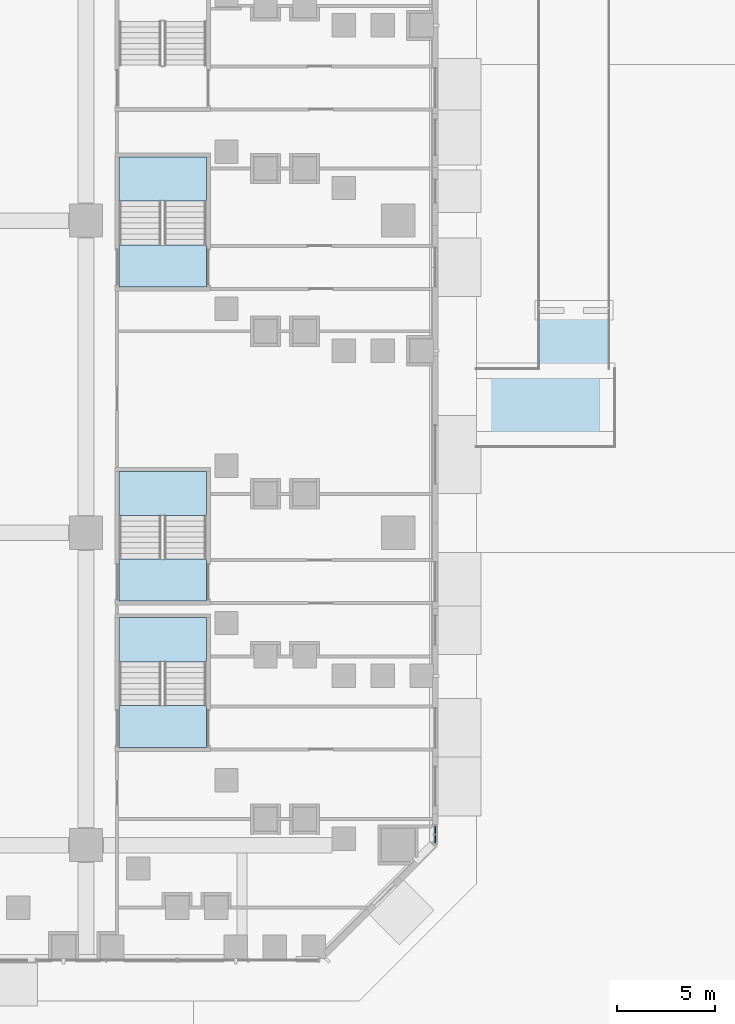
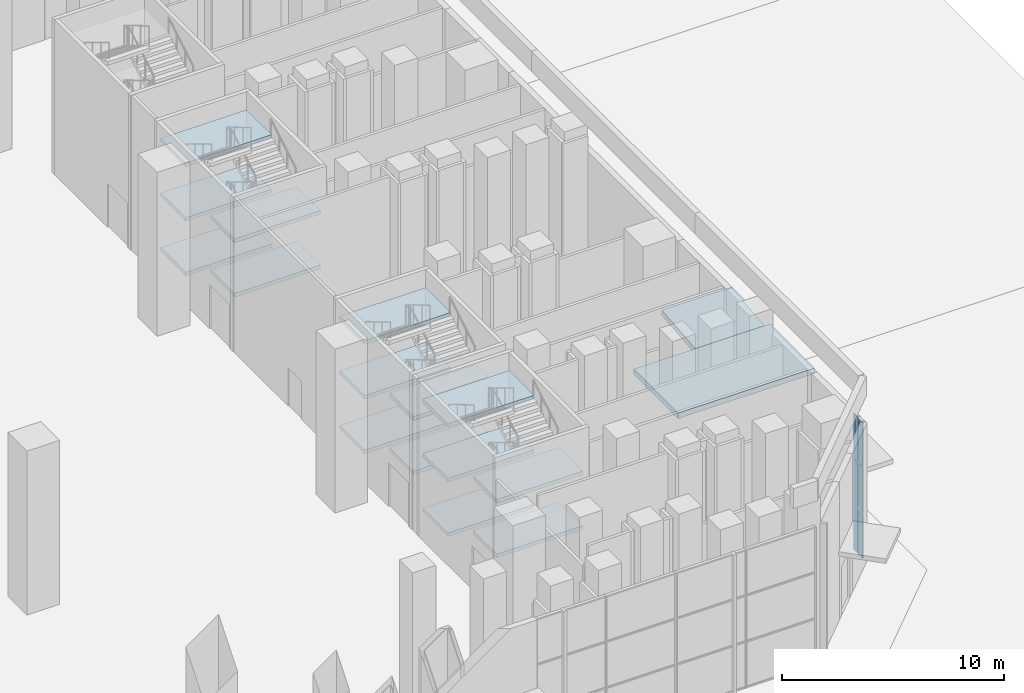
# One storey, part 15 of 51: 17 slabs, 6 plates, 5 elements without a shape of their own.
"""IFC4 building model written with IfcOpenShell, lengths in metres."""

from ifc_helpers import new_model, si_unit, direction, frame, origin, origin_2d, place, context, subcontext, project, spatial, polyline, rectangle, outline, extrude, material, layer, layer_set, type_object, element, aggregate, save


model = new_model("IFC4")

# Units and contexts
model_context = context("Model", 3, precision=1e-05, world=origin(), true_north=direction((0.0, 1.0)))
body_context = subcontext(model_context, "Body", "Model", "MODEL_VIEW")
ifc_project = project(units=[si_unit("LENGTHUNIT", "METRE"), si_unit("AREAUNIT", "SQUARE_METRE"), si_unit("VOLUMEUNIT", "CUBIC_METRE"), si_unit("PLANEANGLEUNIT", "RADIAN"), si_unit("MASSUNIT", "GRAM", prefix="KILO")], contexts=[model_context])

# Site, building, storey
site_placement = place(None, origin())
site = spatial("IfcSite", under=ifc_project, at=site_placement, CompositionType="ELEMENT")
building_placement = place(site_placement, origin())
building = spatial("IfcBuilding", under=site, at=building_placement, Name="Calabash Gate Tower", CompositionType="ELEMENT")
storey_placement = place(building_placement, origin())
storey = spatial("IfcBuildingStorey", under=building, at=storey_placement, Name="L00", CompositionType="ELEMENT", Elevation=0.0)

# Curtain wall, plates
ifc_material_1 = material(Name="Anodised aluminium frame, bronze finish, clear laminated impact-rated glazing", Category="aluminium")
curtain_wall_type = type_object("IfcCurtainWallType", Name="Curtain wall CWF podium shopfront", PredefinedType="NOTDEFINED", material=ifc_material_1)
curtain_wall_placement = place(storey_placement, origin())
curtain_wall = element("IfcCurtainWall", 1, at=curtain_wall_placement, inside=storey, type_object=curtain_wall_type, Name="Curtain wall CWF L00 2.0.0", PredefinedType="NOTDEFINED")
ifc_material_2 = material(Name="Clear laminated impact-rated glazing", Category="glass")
ifc_layer_1 = layer(ifc_material_2, 0.035888671875)
ifc_layer_set_1 = layer_set([ifc_layer_1], Name="Glass panel CWF 36")
plate_type = type_object("IfcPlateType", Name="Glass panel CWF 36", PredefinedType="CURTAIN_PANEL", material=ifc_layer_set_1)
plate_1_placement = place(storey_placement, frame((49.89990234375, -39.688720703125, 0.06494140625), z_axis=(0.0, 0.0, 1.0), x_axis=(0.0, 1.0, 0.0)))
plate_1 = element("IfcPlate", 2, at=plate_1_placement, type_object=plate_type, Name="CWF panel 1.1", PredefinedType="CURTAIN_PANEL", context=body_context, shape_type="SweptSolid", body=[
    extrude(rectangle(XDim=0.392578125, YDim=0.035888671875, at=origin_2d()), origin(), (0.0, 0.0, 1.0), 2.435791015625),
])
plate_2_placement = place(storey_placement, frame((49.89990234375, -39.688720703125, 2.56591796875), z_axis=(0.0, 0.0, 1.0), x_axis=(0.0, 1.0, 0.0)))
plate_2 = element("IfcPlate", 3, at=plate_2_placement, type_object=plate_type, Name="CWF panel 1.2", PredefinedType="CURTAIN_PANEL", context=body_context, shape_type="SweptSolid", body=[
    extrude(rectangle(XDim=0.392578125, YDim=0.035888671875, at=origin_2d()), origin(), (0.0, 0.0, 1.0), 2.46826171875),
])
plate_3_placement = place(storey_placement, frame((49.89990234375, -39.688720703125, 5.09912109375), z_axis=(0.0, 0.0, 1.0), x_axis=(0.0, 1.0, 0.0)))
plate_3 = element("IfcPlate", 4, at=plate_3_placement, type_object=plate_type, Name="CWF panel 1.3", PredefinedType="CURTAIN_PANEL", context=body_context, shape_type="SweptSolid", body=[
    extrude(rectangle(XDim=0.392578125, YDim=0.035888671875, at=origin_2d()), origin(), (0.0, 0.0, 1.0), 2.435791015625),
])
plate_4_placement = place(storey_placement, frame((49.89990234375, -39.231201171875, 0.06494140625), z_axis=(0.0, 0.0, 1.0), x_axis=(0.0, 1.0, 0.0)))
plate_4 = element("IfcPlate", 5, at=plate_4_placement, type_object=plate_type, Name="CWF panel 2.1", PredefinedType="CURTAIN_PANEL", context=body_context, shape_type="SweptSolid", body=[
    extrude(rectangle(XDim=0.392578125, YDim=0.035888671875, at=origin_2d()), origin(), (0.0, 0.0, 1.0), 2.435791015625),
])
plate_5_placement = place(storey_placement, frame((49.89990234375, -39.231201171875, 2.56591796875), z_axis=(0.0, 0.0, 1.0), x_axis=(0.0, 1.0, 0.0)))
plate_5 = element("IfcPlate", 6, at=plate_5_placement, type_object=plate_type, Name="CWF panel 2.2", PredefinedType="CURTAIN_PANEL", context=body_context, shape_type="SweptSolid", body=[
    extrude(rectangle(XDim=0.392578125, YDim=0.035888671875, at=origin_2d()), origin(), (0.0, 0.0, 1.0), 2.46826171875),
])
plate_6_placement = place(storey_placement, frame((49.89990234375, -39.231201171875, 5.09912109375), z_axis=(0.0, 0.0, 1.0), x_axis=(0.0, 1.0, 0.0)))
plate_6 = element("IfcPlate", 7, at=plate_6_placement, type_object=plate_type, Name="CWF panel 2.3", PredefinedType="CURTAIN_PANEL", context=body_context, shape_type="SweptSolid", body=[
    extrude(rectangle(XDim=0.392578125, YDim=0.035888671875, at=origin_2d()), origin(), (0.0, 0.0, 1.0), 2.435791015625),
])
aggregate(curtain_wall, [plate_1, plate_2, plate_3, plate_4, plate_5, plate_6])

# Stair, slabs
ifc_material_3 = material(Name="Concrete C40/50", Category="concrete")
stair_type = type_object("IfcStairType", Name="Public stair 54 risers of 166.7 mm", PredefinedType="HALF_TURN_STAIR", material=ifc_material_3)
stair_1_placement = place(storey_placement, origin())
stair_1 = element("IfcStair", 8, at=stair_1_placement, inside=storey, type_object=stair_type, Name="L00 Public Stair PS6", PredefinedType="HALF_TURN_STAIR")
ifc_material_4 = material(Name="Concrete C40/50", Category="concrete")
ifc_layer_2 = layer(ifc_material_4, 0.199951171875)
ifc_layer_set_2 = layer_set([ifc_layer_2], Name="Stair landing SL200")
slab_type_1 = type_object("IfcSlabType", Name="Stair landing SL200", PredefinedType="LANDING", material=ifc_layer_set_2)
slab_1_placement = place(storey_placement, frame((0.0, 0.0, 1.300048828125)))
slab_1 = element("IfcSlab", 9, at=slab_1_placement, type_object=slab_type_1, Name="PS6 landing 1", PredefinedType="LANDING", context=body_context, shape_type="SweptSolid", body=[
    extrude(outline(polyline([(38.169921875, -30.60791015625), (38.169921875, -28.35009765625), (33.699951171875, -28.35009765625), (33.699951171875, -30.60791015625), (38.169921875, -30.60791015625)])), origin(), (0.0, 0.0, 1.0), 0.199951171875),
])
slab_2_placement = place(storey_placement, frame((0.0, 0.0, 2.800048828125)))
slab_2 = element("IfcSlab", 10, at=slab_2_placement, type_object=slab_type_1, Name="PS6 landing 2", PredefinedType="LANDING", context=body_context, shape_type="SweptSolid", body=[
    extrude(outline(polyline([(38.169921875, -35.0), (38.169921875, -32.840087890625), (33.699951171875, -32.840087890625), (33.699951171875, -35.0), (38.169921875, -35.0)])), origin(), (0.0, 0.0, 1.0), 0.199951171875),
])
slab_3_placement = place(storey_placement, frame((0.0, 0.0, 4.300048828125)))
slab_3 = element("IfcSlab", 11, at=slab_3_placement, type_object=slab_type_1, Name="PS6 landing 3", PredefinedType="LANDING", context=body_context, shape_type="SweptSolid", body=[
    extrude(outline(polyline([(38.169921875, -30.60791015625), (38.169921875, -28.35009765625), (33.699951171875, -28.35009765625), (33.699951171875, -30.60791015625), (38.169921875, -30.60791015625)])), origin(), (0.0, 0.0, 1.0), 0.199951171875),
])
slab_4_placement = place(storey_placement, frame((0.0, 0.0, 5.800048828125)))
slab_4 = element("IfcSlab", 12, at=slab_4_placement, type_object=slab_type_1, Name="PS6 landing 4", PredefinedType="LANDING", context=body_context, shape_type="SweptSolid", body=[
    extrude(outline(polyline([(38.169921875, -35.0), (38.169921875, -32.840087890625), (33.699951171875, -32.840087890625), (33.699951171875, -35.0), (38.169921875, -35.0)])), origin(), (0.0, 0.0, 1.0), 0.199951171875),
])
slab_5_placement = place(storey_placement, frame((0.0, 0.0, 7.300048828125)))
slab_5 = element("IfcSlab", 13, at=slab_5_placement, type_object=slab_type_1, Name="PS6 landing 5", PredefinedType="LANDING", context=body_context, shape_type="SweptSolid", body=[
    extrude(outline(polyline([(38.169921875, -30.60791015625), (38.169921875, -28.35009765625), (33.699951171875, -28.35009765625), (33.699951171875, -30.60791015625), (38.169921875, -30.60791015625)])), origin(), (0.0, 0.0, 1.0), 0.199951171875),
])
aggregate(stair_1, [slab_1, slab_2, slab_3, slab_4, slab_5])

stair_2_placement = place(storey_placement, origin())
stair_2 = element("IfcStair", 14, at=stair_2_placement, inside=storey, type_object=stair_type, Name="L00 Public Stair PS7", PredefinedType="HALF_TURN_STAIR")
slab_6_placement = place(storey_placement, frame((0.0, 0.0, 1.300048828125)))
slab_6 = element("IfcSlab", 15, at=slab_6_placement, type_object=slab_type_1, Name="PS7 landing 1", PredefinedType="LANDING", context=body_context, shape_type="SweptSolid", body=[
    extrude(outline(polyline([(38.169921875, -23.10791015625), (38.169921875, -20.85009765625), (33.699951171875, -20.85009765625), (33.699951171875, -23.10791015625), (38.169921875, -23.10791015625)])), origin(), (0.0, 0.0, 1.0), 0.199951171875),
])
slab_7_placement = place(storey_placement, frame((0.0, 0.0, 2.800048828125)))
slab_7 = element("IfcSlab", 16, at=slab_7_placement, type_object=slab_type_1, Name="PS7 landing 2", PredefinedType="LANDING", context=body_context, shape_type="SweptSolid", body=[
    extrude(outline(polyline([(38.169921875, -27.5), (38.169921875, -25.340087890625), (33.699951171875, -25.340087890625), (33.699951171875, -27.5), (38.169921875, -27.5)])), origin(), (0.0, 0.0, 1.0), 0.199951171875),
])
slab_8_placement = place(storey_placement, frame((0.0, 0.0, 4.300048828125)))
slab_8 = element("IfcSlab", 17, at=slab_8_placement, type_object=slab_type_1, Name="PS7 landing 3", PredefinedType="LANDING", context=body_context, shape_type="SweptSolid", body=[
    extrude(outline(polyline([(38.169921875, -23.10791015625), (38.169921875, -20.85009765625), (33.699951171875, -20.85009765625), (33.699951171875, -23.10791015625), (38.169921875, -23.10791015625)])), origin(), (0.0, 0.0, 1.0), 0.199951171875),
])
slab_9_placement = place(storey_placement, frame((0.0, 0.0, 5.800048828125)))
slab_9 = element("IfcSlab", 18, at=slab_9_placement, type_object=slab_type_1, Name="PS7 landing 4", PredefinedType="LANDING", context=body_context, shape_type="SweptSolid", body=[
    extrude(outline(polyline([(38.169921875, -27.5), (38.169921875, -25.340087890625), (33.699951171875, -25.340087890625), (33.699951171875, -27.5), (38.169921875, -27.5)])), origin(), (0.0, 0.0, 1.0), 0.199951171875),
])
slab_10_placement = place(storey_placement, frame((0.0, 0.0, 7.300048828125)))
slab_10 = element("IfcSlab", 19, at=slab_10_placement, type_object=slab_type_1, Name="PS7 landing 5", PredefinedType="LANDING", context=body_context, shape_type="SweptSolid", body=[
    extrude(outline(polyline([(38.169921875, -23.10791015625), (38.169921875, -20.85009765625), (33.699951171875, -20.85009765625), (33.699951171875, -23.10791015625), (38.169921875, -23.10791015625)])), origin(), (0.0, 0.0, 1.0), 0.199951171875),
])
aggregate(stair_2, [slab_6, slab_7, slab_8, slab_9, slab_10])

stair_3_placement = place(storey_placement, origin())
stair_3 = element("IfcStair", 20, at=stair_3_placement, inside=storey, type_object=stair_type, Name="L00 Public Stair PS8", PredefinedType="HALF_TURN_STAIR")
slab_11_placement = place(storey_placement, frame((0.0, 0.0, 1.300048828125)))
slab_11 = element("IfcSlab", 21, at=slab_11_placement, type_object=slab_type_1, Name="PS8 landing 1", PredefinedType="LANDING", context=body_context, shape_type="SweptSolid", body=[
    extrude(outline(polyline([(38.169921875, -7.008056640625), (38.169921875, -4.75), (33.699951171875, -4.75), (33.699951171875, -7.008056640625), (38.169921875, -7.008056640625)])), origin(), (0.0, 0.0, 1.0), 0.199951171875),
])
slab_12_placement = place(storey_placement, frame((0.0, 0.0, 2.800048828125)))
slab_12 = element("IfcSlab", 22, at=slab_12_placement, type_object=slab_type_1, Name="PS8 landing 2", PredefinedType="LANDING", context=body_context, shape_type="SweptSolid", body=[
    extrude(outline(polyline([(38.169921875, -11.39990234375), (38.169921875, -9.239990234375), (33.699951171875, -9.239990234375), (33.699951171875, -11.39990234375), (38.169921875, -11.39990234375)])), origin(), (0.0, 0.0, 1.0), 0.199951171875),
])
slab_13_placement = place(storey_placement, frame((0.0, 0.0, 4.300048828125)))
slab_13 = element("IfcSlab", 23, at=slab_13_placement, type_object=slab_type_1, Name="PS8 landing 3", PredefinedType="LANDING", context=body_context, shape_type="SweptSolid", body=[
    extrude(outline(polyline([(38.169921875, -7.008056640625), (38.169921875, -4.75), (33.699951171875, -4.75), (33.699951171875, -7.008056640625), (38.169921875, -7.008056640625)])), origin(), (0.0, 0.0, 1.0), 0.199951171875),
])
slab_14_placement = place(storey_placement, frame((0.0, 0.0, 5.800048828125)))
slab_14 = element("IfcSlab", 24, at=slab_14_placement, type_object=slab_type_1, Name="PS8 landing 4", PredefinedType="LANDING", context=body_context, shape_type="SweptSolid", body=[
    extrude(outline(polyline([(38.169921875, -11.39990234375), (38.169921875, -9.239990234375), (33.699951171875, -9.239990234375), (33.699951171875, -11.39990234375), (38.169921875, -11.39990234375)])), origin(), (0.0, 0.0, 1.0), 0.199951171875),
])
slab_15_placement = place(storey_placement, frame((0.0, 0.0, 7.300048828125)))
slab_15 = element("IfcSlab", 25, at=slab_15_placement, type_object=slab_type_1, Name="PS8 landing 5", PredefinedType="LANDING", context=body_context, shape_type="SweptSolid", body=[
    extrude(outline(polyline([(38.169921875, -7.008056640625), (38.169921875, -4.75), (33.699951171875, -4.75), (33.699951171875, -7.008056640625), (38.169921875, -7.008056640625)])), origin(), (0.0, 0.0, 1.0), 0.199951171875),
])
aggregate(stair_3, [slab_11, slab_12, slab_13, slab_14, slab_15])

# Assembly, slabs
assembly_placement = place(storey_placement, origin())
assembly = element("IfcElementAssembly", 26, at=assembly_placement, inside=storey, Name="Entry Ramp", ObjectType="Vehicle ramp", PredefinedType="USERDEFINED")
ifc_material_5 = material(Name="Concrete C40/50", Category="concrete")
ifc_layer_3 = layer(ifc_material_5, 0.300048828125)
ifc_layer_set_3 = layer_set([ifc_layer_3], Name="Vehicle ramp landing 300 Concrete C40/50")
slab_type_2 = type_object("IfcSlabType", Name="Vehicle ramp landing 300 Concrete C40/50", PredefinedType="LANDING", material=ifc_layer_set_3)
slab_16_placement = place(storey_placement, frame((0.0, 0.0, -5.300048828125)))
slab_16 = element("IfcSlab", 27, at=slab_16_placement, type_object=slab_type_2, Name="Entry Ramp landing", PredefinedType="LANDING", context=body_context, shape_type="SweptSolid", body=[
    extrude(outline(polyline([(52.0, -19.60009765625), (59.10009765625, -19.60009765625), (59.10009765625, -15.60009765625), (52.0, -15.60009765625), (52.0, -19.60009765625)])), origin(), (0.0, 0.0, 1.0), 0.300048828125),
])
ifc_material_6 = material(Name="Concrete C40/50", Category="concrete")
ifc_layer_4 = layer(ifc_material_6, 0.300048828125)
ifc_layer_set_4 = layer_set([ifc_layer_4], Name="Vehicle ramp slab 300 Concrete C40/50")
slab_type_3 = type_object("IfcSlabType", Name="Vehicle ramp slab 300 Concrete C40/50", PredefinedType="FLOOR", material=ifc_layer_set_4)
slab_17_placement = place(storey_placement, frame((55.199951171875, -15.60009765625, -5.0), z_axis=(0.0, -0.0995197539, 0.995035586592), x_axis=(1.0, 0.0, 0.0)))
slab_17 = element("IfcSlab", 28, at=slab_17_placement, type_object=slab_type_3, Name="Entry Ramp slab 1", PredefinedType="FLOOR", context=body_context, shape_type="SweptSolid", body=[
    extrude(outline(polyline([(0.0, 0.0), (3.60009765625, 0.0), (3.60009765625, 3.014892578125), (0.0, 3.014892578125), (0.0, 0.0)])), origin(), (0.0, 0.0, -1.0), 0.300048828125),
])
aggregate(assembly, [slab_16, slab_17])

save(model, "model.ifc")
